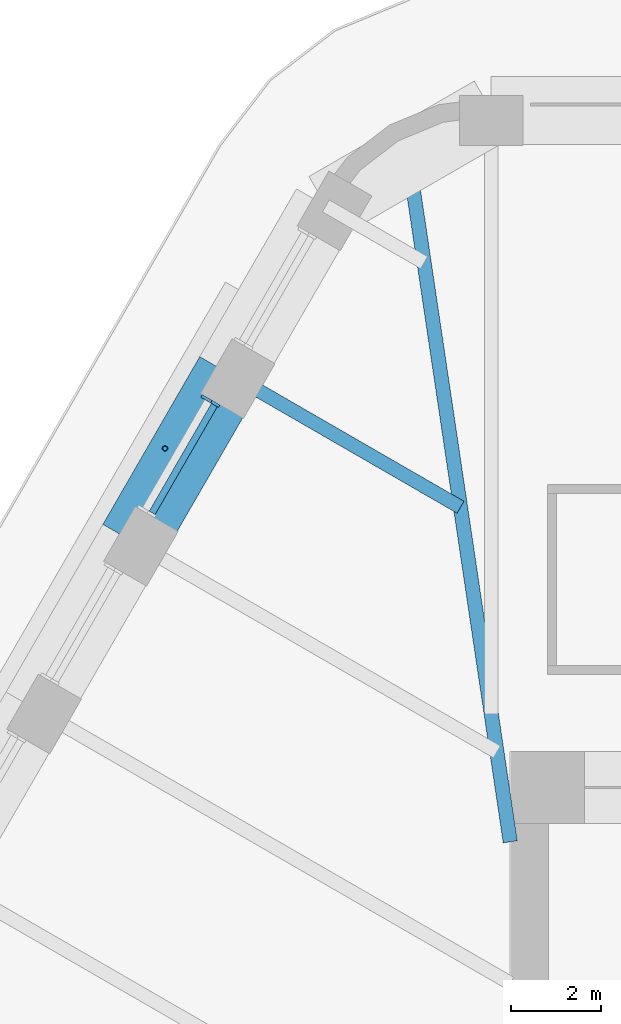
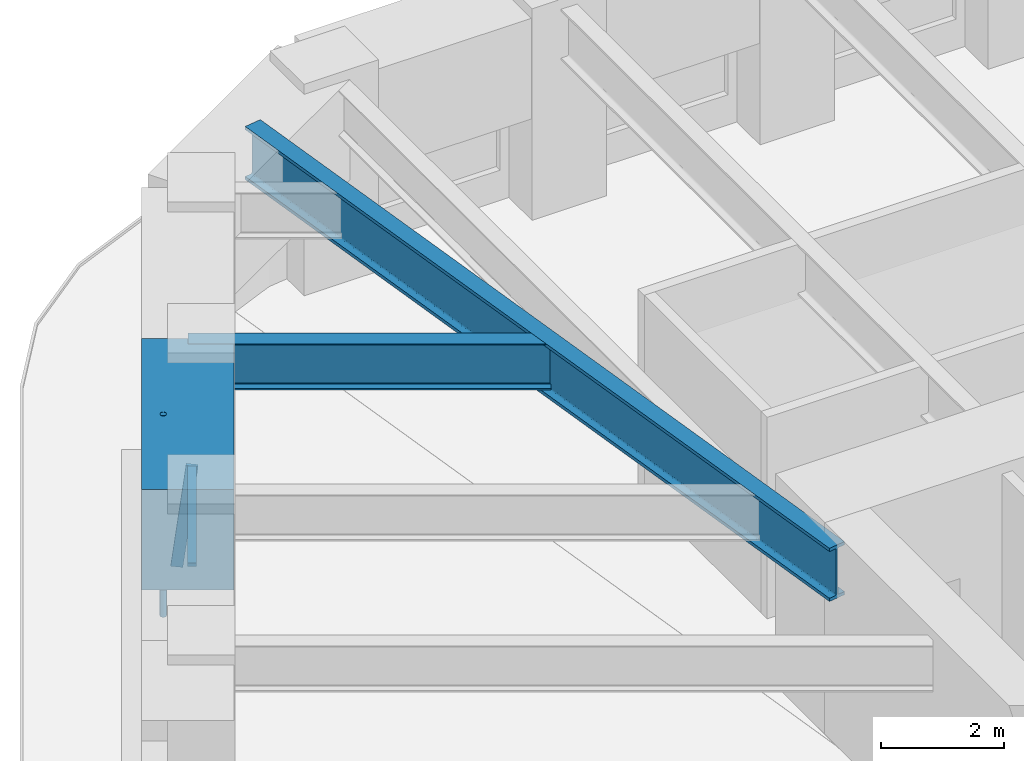
# One storey, part 8 of 18: 3 beams, 3 members, 1 element without a shape of its own.
"""IFC4 building model written with IfcOpenShell, lengths in metres."""

from ifc_helpers import new_model, si_unit, direction, frame, origin, origin_2d, place, context, subcontext, project, spatial, rectangle, hollow_circle, i_section, extrude, material, material_profile, profile_set, type_object, element, aggregate, save


model = new_model("IFC4")

# Units and contexts
model_context = context("Model", 3, precision=1e-05, world=origin(), true_north=direction((0.0, 1.0)))
body_context = subcontext(model_context, "Body", "Model", "MODEL_VIEW")
ifc_project = project(units=[si_unit("LENGTHUNIT", "METRE"), si_unit("AREAUNIT", "SQUARE_METRE"), si_unit("VOLUMEUNIT", "CUBIC_METRE"), si_unit("PLANEANGLEUNIT", "RADIAN"), si_unit("MASSUNIT", "GRAM", prefix="KILO")], contexts=[model_context])

# Site, building, storey
site_placement = place(None, origin())
site = spatial("IfcSite", under=ifc_project, at=site_placement, CompositionType="ELEMENT")
building_placement = place(site_placement, origin())
building = spatial("IfcBuilding", under=site, at=building_placement, Name="Tarfa Lantern Tower", CompositionType="ELEMENT")
storey_placement = place(building_placement, frame((0.0, 0.0, 315.699951171875)))
storey = spatial("IfcBuildingStorey", under=building, at=storey_placement, Name="L71", CompositionType="ELEMENT", Elevation=315.699951171875)

# Curtain wall, members
ifc_material_1 = material(Name="Aluminium framed curtain wall", Category="aluminium")
curtain_wall_type = type_object("IfcCurtainWallType", Name="CW4 CANTED GLAZING EXECUTIVE ZONE 2000", PredefinedType="USERDEFINED", material=ifc_material_1)
curtain_wall_placement = place(storey_placement, origin())
curtain_wall = element("IfcCurtainWall", 1, at=curtain_wall_placement, inside=storey, type_object=curtain_wall_type, Name="CW4 NW L71", ObjectType="CURTAIN WALL", PredefinedType="USERDEFINED")
ifc_material_2 = material(Name="Aluminium mullion", Category="aluminium")
ifc_material_profile_1 = material_profile(ifc_material_2, rectangle(XDim=0.06494140625, YDim=0.199951171875, at=origin_2d()), Name="AL MULLION 65x200")
ifc_profile_set_1 = profile_set([ifc_material_profile_1], Name="Aluminium mullion")
member_type_1 = type_object("IfcMemberType", Name="CWM1 MULLION 65x200", PredefinedType="MULLION", material=ifc_profile_set_1)
member_1_placement = place(storey_placement, frame((-19.163818359375, 20.107421875, 0.0), z_axis=(0.107439978116, -0.062017213975, 0.992275423596), x_axis=(0.499919672301, 0.866071776036, 0.0)))
member_1 = element("IfcMember", 2, at=member_1_placement, type_object=member_type_1, Name="CW4 mullion 1", PredefinedType="MULLION", context=body_context, shape_type="SweptSolid", body=[
    extrude(rectangle(XDim=0.06494140625, YDim=0.199951171875, at=origin_2d()), origin(), (0.0, 0.0, 1.0), 2.015625),
])
ifc_material_3 = material(Name="Aluminium transom", Category="aluminium")
ifc_material_profile_2 = material_profile(ifc_material_3, rectangle(XDim=0.14990234375, YDim=0.06494140625, at=origin_2d()), Name="AL TRANSOM 150x65")
ifc_profile_set_2 = profile_set([ifc_material_profile_2], Name="Aluminium transom")
member_type_2 = type_object("IfcMemberType", Name="CWT1 TRANSOM 150x65", PredefinedType="USERDEFINED", material=ifc_profile_set_2)
member_2_placement = place(storey_placement, frame((-18.967041015625, 19.956298828125, 1.967529296875), z_axis=(-0.499955378711, -0.866051164365, 0.0), x_axis=(0.866051164365, -0.499955378711, 0.0)))
member_2 = element("IfcMember", 3, at=member_2_placement, type_object=member_type_2, Name="CW4 transom 1.2", ObjectType="TRANSOM", PredefinedType="USERDEFINED", context=body_context, shape_type="SweptSolid", body=[
    extrude(rectangle(XDim=0.14990234375, YDim=0.06494140625, at=origin_2d()), origin(), (0.0, 0.0, 1.0), 2.752197265625),
])
aggregate(curtain_wall, [member_1, member_2])

# Beam
ifc_material_4 = material(Name="Concrete C80/95", Category="concrete")
ifc_material_profile_3 = material_profile(ifc_material_4, rectangle(XDim=1.5, YDim=2.0, at=origin_2d()), Name="RC 1500x2000")
ifc_profile_set_3 = profile_set([ifc_material_profile_3], Name="Concrete C80/95")
beam_type_1 = type_object("IfcBeamType", Name="RB3 RC 1500x2000", PredefinedType="BEAM", material=ifc_profile_set_3)
beam_1_placement = place(storey_placement, frame((-18.6416015625, 20.651611328125, 3.0), z_axis=(-0.500026801138, -0.866009929587, 0.0), x_axis=(0.866009929587, -0.500026801138, 0.0)))
element("IfcBeam", 4, at=beam_1_placement, inside=storey, type_object=beam_type_1, Name="Edge beam NW1", PredefinedType="BEAM", context=body_context, shape_type="SweptSolid", body=[
    extrude(rectangle(XDim=1.5, YDim=2.0, at=origin_2d()), origin(), (0.0, 0.0, 1.0), 4.281982421875),
])

# Member
ifc_material_5 = material(Name="Steel S355", Category="steel")
ifc_material_profile_4 = material_profile(ifc_material_5, hollow_circle(Radius=0.05712890625, WallThickness=0.00634765625, at=origin_2d()), Name="CHS114.3x6.3")
ifc_profile_set_4 = profile_set([ifc_material_profile_4], Name="Steel S355")
member_type_3 = type_object("IfcMemberType", Name="TR1 GREEN WALL TRELLIS CHS114.3x6.3", PredefinedType="USERDEFINED", material=ifc_profile_set_4)
member_3_placement = place(storey_placement, frame((-20.05859375, 18.99755859375, 0.0), z_axis=(0.0, 0.0, 1.0), x_axis=(1.0, 0.0, 0.0)))
element("IfcMember", 5, at=member_3_placement, inside=storey, type_object=member_type_3, Name="Trellis post NW 1", ObjectType="TRELLIS", PredefinedType="USERDEFINED", context=body_context, shape_type="SweptSolid", body=[
    extrude(hollow_circle(Radius=0.05712890625, WallThickness=0.00634765625, at=origin_2d()), origin(), (0.0, 0.0, 1.0), 4.0),
])

# Beams
ifc_material_6 = material(Name="Steel S460M", Category="steel")
ifc_material_profile_5 = material_profile(ifc_material_6, i_section(OverallWidth=0.314208984375, OverallDepth=1.055908203125, WebThickness=0.035888671875, FlangeThickness=0.06396484375, FilletRadius=0.030029296875, at=origin_2d()), Name="UB1016x305x584")
ifc_profile_set_5 = profile_set([ifc_material_profile_5], Name="Steel S460M")
beam_type_2 = type_object("IfcBeamType", Name="UB1016x305x584", PredefinedType="BEAM", material=ifc_profile_set_5)
beam_2_placement = place(storey_placement, frame((-12.425048828125, 10.300048828125, 3.47216796875), z_axis=(-0.147127069073, 0.989117599452, 0.0), x_axis=(-0.989117599452, -0.147127069073, 0.0)))
element("IfcBeam", 6, at=beam_2_placement, inside=storey, type_object=beam_type_2, Name="Hip girder NW", PredefinedType="BEAM", context=body_context, shape_type="SweptSolid", body=[
    extrude(i_section(OverallWidth=0.314208984375, OverallDepth=1.055908203125, WebThickness=0.035888671875, FlangeThickness=0.06396484375, FilletRadius=0.030029296875, at=origin_2d()), origin(), (0.0, 0.0, 1.0), 15.28125),
])
ifc_material_profile_6 = material_profile(ifc_material_6, i_section(OverallWidth=0.305419921875, OverallDepth=0.91845703125, WebThickness=0.017333984375, FlangeThickness=0.02783203125, FilletRadius=0.01904296875, at=origin_2d()), Name="UB914x305x253")
ifc_profile_set_6 = profile_set([ifc_material_profile_6], Name="Steel S460M")
beam_type_3 = type_object("IfcBeamType", Name="UB914x305x253", PredefinedType="BEAM", material=ifc_profile_set_6)
beam_3_placement = place(storey_placement, frame((-18.6416015625, 20.651611328125, 3.540771484375), z_axis=(0.866024549157, -0.500001480256, 0.0), x_axis=(0.500001480256, 0.866024549157, 0.0)))
element("IfcBeam", 7, at=beam_3_placement, inside=storey, type_object=beam_type_3, Name="Floor beam NW1", PredefinedType="BEAM", context=body_context, shape_type="SweptSolid", body=[
    extrude(i_section(OverallWidth=0.305419921875, OverallDepth=0.91845703125, WebThickness=0.017333984375, FlangeThickness=0.02783203125, FilletRadius=0.01904296875, at=origin_2d()), origin(), (0.0, 0.0, 1.0), 5.90771484375),
])

save(model, "model.ifc")
